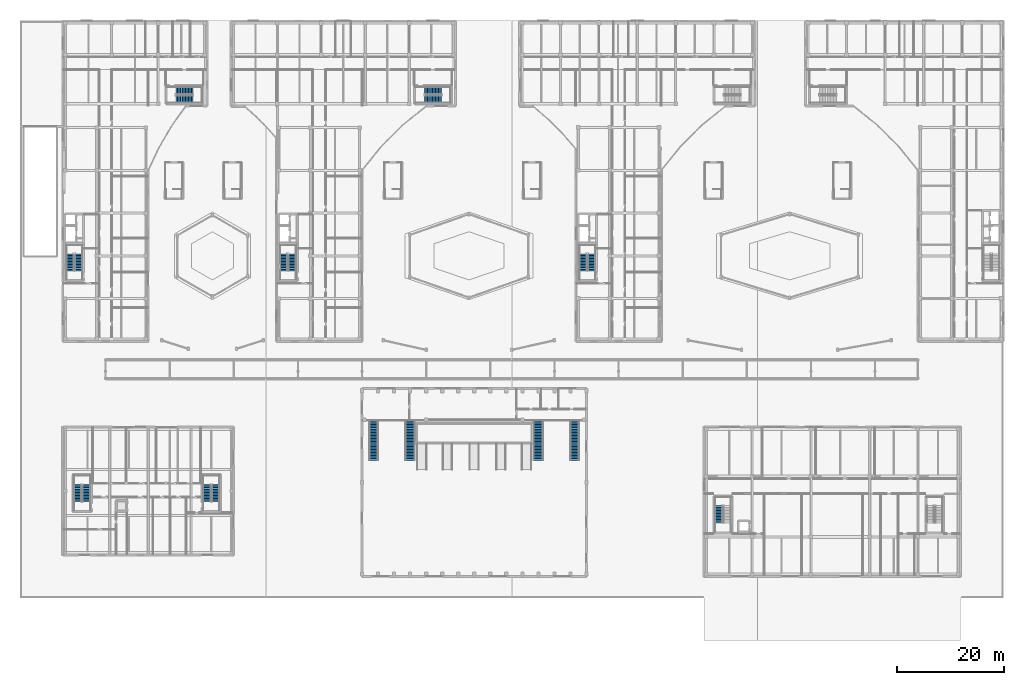
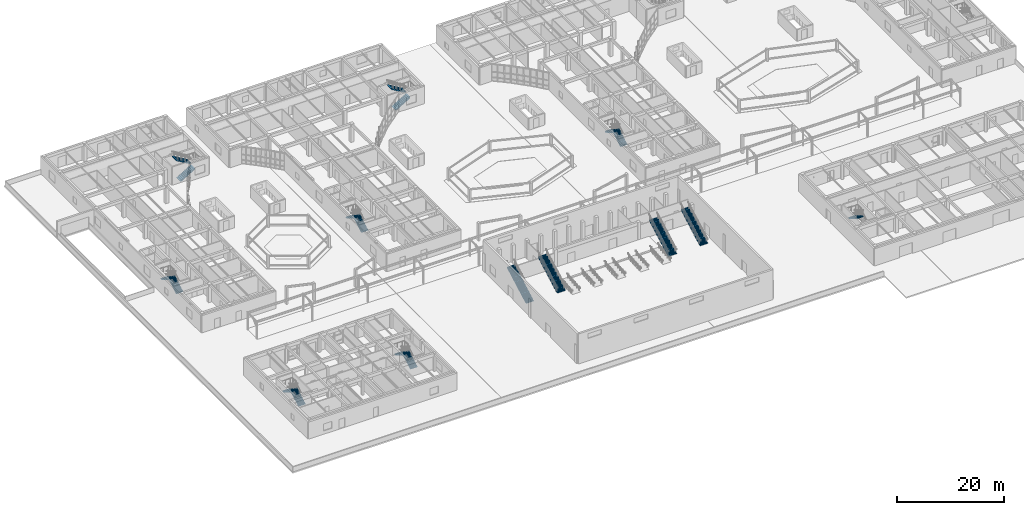
# One storey, part 92 of 114: 19 stair flights, 12 elements without a shape of their own.
"""IFC4 building model written with IfcOpenShell, lengths in metres."""

from ifc_helpers import new_model, si_unit, direction, frame, origin, place, context, subcontext, project, spatial, polyline, outline, extrude, material, type_object, element, aggregate, save


model = new_model("IFC4")

# Units and contexts
model_context = context("Model", 3, precision=1e-05, world=origin(), true_north=direction((0.0, 1.0)))
body_context = subcontext(model_context, "Body", "Model", "MODEL_VIEW")
ifc_project = project(units=[si_unit("LENGTHUNIT", "METRE"), si_unit("AREAUNIT", "SQUARE_METRE"), si_unit("VOLUMEUNIT", "CUBIC_METRE"), si_unit("PLANEANGLEUNIT", "RADIAN"), si_unit("MASSUNIT", "GRAM", prefix="KILO")], contexts=[model_context])

# Site, building, storey
site_placement = place(None, origin())
site = spatial("IfcSite", under=ifc_project, at=site_placement, CompositionType="ELEMENT")
building_placement = place(site_placement, origin())
building = spatial("IfcBuilding", under=site, at=building_placement, Name="Keldmere Railside Commons", CompositionType="ELEMENT")
storey_placement = place(building_placement, origin())
storey = spatial("IfcBuildingStorey", under=building, at=storey_placement, Name="L00", CompositionType="ELEMENT", Elevation=0.0)

# Stair, stair flights
ifc_material = material(Name="Concrete H-30 (C30/37)", Category="concrete")
stair_type_1 = type_object("IfcStairType", Name="Basement Garage Dogleg Escape Stair 1450", PredefinedType="HALF_TURN_STAIR", material=ifc_material)
stair_1_placement = place(storey_placement, origin())
stair_1 = element("IfcStair", 1, at=stair_1_placement, inside=storey, type_object=stair_type_1, Name="L00 Block B Primary Escape Stair 1", PredefinedType="HALF_TURN_STAIR")
stair_flight_type_1 = type_object("IfcStairFlightType", Name="Basement Escape Stair Flight 1450", PredefinedType="STRAIGHT", material=ifc_material)
stair_flight_1_placement = place(storey_placement, frame((106.97509765625, 69.199951171875, 0.0), z_axis=(0.0, 0.0, 1.0), x_axis=(0.0, 1.0, 0.0)))
stair_flight_1 = element("IfcStairFlight", 2, at=stair_flight_1_placement, type_object=stair_flight_type_1, Name="ST-B1 flight 1", NumberOfRisers=12, NumberOfTreads=11, PredefinedType="STRAIGHT", RiserHeight=0.173333333, TreadLength=0.29, context=body_context, shape_type="SweptSolid", body=[
    extrude(outline(polyline([(0.0, 0.0), (0.0, 0.17333984375), (0.2900390625, 0.17333984375), (0.2900390625, 0.3466796875), (0.580078125, 0.3466796875), (0.580078125, 0.52001953125), (0.8701171875, 0.52001953125), (0.8701171875, 0.693359375), (1.159912109375, 0.693359375), (1.159912109375, 0.86669921875), (1.449951171875, 0.86669921875), (1.449951171875, 1.0400390625), (1.739990234375, 1.0400390625), (1.739990234375, 1.21337890625), (2.030029296875, 1.21337890625), (2.030029296875, 1.38671875), (2.320068359375, 1.38671875), (2.320068359375, 1.56005859375), (2.610107421875, 1.56005859375), (2.610107421875, 1.7333984375), (2.89990234375, 1.7333984375), (2.89990234375, 1.90673828125), (3.18994140625, 1.90673828125), (3.18994140625, 2.080078125), (3.18994140625, 1.697021484375), (0.350830078125, 0.0), (0.0, 0.0)])), frame((0.0, 0.72509765625, 0.0), z_axis=(0.0, -1.0, 0.0), x_axis=(1.0, 0.0, 0.0)), (0.0, 0.0, 1.0), 1.449951171875),
])
stair_flight_2_placement = place(storey_placement, frame((105.375, 72.389892578125, 2.080078125), z_axis=(0.0, 0.0, 1.0), x_axis=(0.0, -1.0, 0.0)))
stair_flight_2 = element("IfcStairFlight", 3, at=stair_flight_2_placement, type_object=stair_flight_type_1, Name="ST-B1 flight 2", NumberOfRisers=12, NumberOfTreads=11, PredefinedType="STRAIGHT", RiserHeight=0.173333333, TreadLength=0.29, context=body_context, shape_type="SweptSolid", body=[
    extrude(outline(polyline([(0.0, 0.0), (0.0, 0.17333984375), (0.2900390625, 0.17333984375), (0.2900390625, 0.3466796875), (0.580078125, 0.3466796875), (0.580078125, 0.52001953125), (0.8701171875, 0.52001953125), (0.8701171875, 0.693359375), (1.159912109375, 0.693359375), (1.159912109375, 0.86669921875), (1.449951171875, 0.86669921875), (1.449951171875, 1.0400390625), (1.739990234375, 1.0400390625), (1.739990234375, 1.21337890625), (2.030029296875, 1.21337890625), (2.030029296875, 1.38671875), (2.320068359375, 1.38671875), (2.320068359375, 1.56005859375), (2.610107421875, 1.56005859375), (2.610107421875, 1.7333984375), (2.89990234375, 1.7333984375), (2.89990234375, 1.90673828125), (3.18994140625, 1.90673828125), (3.18994140625, 2.080078125), (3.18994140625, 1.697021484375), (0.350830078125, 0.0), (0.0, 0.0)])), frame((0.0, 0.72509765625, 0.0), z_axis=(0.0, -1.0, 0.0), x_axis=(1.0, 0.0, 0.0)), (0.0, 0.0, 1.0), 1.449951171875),
])
aggregate(stair_1, [stair_flight_1, stair_flight_2])

# Stair, stair flight
stair_type_2 = type_object("IfcStairType", Name="Community Hall Stage & Gallery Straight Stair 1650", PredefinedType="STRAIGHT_RUN_STAIR", material=ifc_material)
stair_2_placement = place(storey_placement, origin())
stair_2 = element("IfcStair", 4, at=stair_2_placement, inside=storey, type_object=stair_type_2, Name="ST-HAL ST-H1", PredefinedType="STRAIGHT_RUN_STAIR")
stair_flight_type_2 = type_object("IfcStairFlightType", Name="Community Hall Straight Flight 1650", PredefinedType="STRAIGHT", material=ifc_material)
stair_flight_3_placement = place(storey_placement, frame((66.199951171875, 33.75, 0.0), z_axis=(0.0, 0.0, 1.0), x_axis=(0.0, 1.0, 0.0)))
stair_flight_3 = element("IfcStairFlight", 5, at=stair_flight_3_placement, type_object=stair_flight_type_2, Name="FL-HAL ST-H1-F1", NumberOfRisers=26, NumberOfTreads=25, PredefinedType="STRAIGHT", RiserHeight=0.16, TreadLength=0.29, context=body_context, shape_type="SweptSolid", body=[
    extrude(outline(polyline([(0.0, 0.0), (0.0, 0.159912109375), (0.2900390625, 0.159912109375), (0.2900390625, 0.320068359375), (0.580078125, 0.320068359375), (0.580078125, 0.47998046875), (0.8701171875, 0.47998046875), (0.8701171875, 0.639892578125), (1.159912109375, 0.639892578125), (1.159912109375, 0.800048828125), (1.449951171875, 0.800048828125), (1.449951171875, 0.9599609375), (1.739990234375, 0.9599609375), (1.739990234375, 1.1201171875), (2.030029296875, 1.1201171875), (2.030029296875, 1.280029296875), (2.320068359375, 1.280029296875), (2.320068359375, 1.43994140625), (2.610107421875, 1.43994140625), (2.610107421875, 1.60009765625), (2.89990234375, 1.60009765625), (2.89990234375, 1.760009765625), (3.18994140625, 1.760009765625), (3.18994140625, 1.919921875), (3.47998046875, 1.919921875), (3.47998046875, 2.080078125), (3.77001953125, 2.080078125), (3.77001953125, 2.239990234375), (4.06005859375, 2.239990234375), (4.06005859375, 2.39990234375), (4.35009765625, 2.39990234375), (4.35009765625, 2.56005859375), (4.639892578125, 2.56005859375), (4.639892578125, 2.719970703125), (4.929931640625, 2.719970703125), (4.929931640625, 2.8798828125), (5.219970703125, 2.8798828125), (5.219970703125, 3.0400390625), (5.510009765625, 3.0400390625), (5.510009765625, 3.199951171875), (5.800048828125, 3.199951171875), (5.800048828125, 3.360107421875), (6.090087890625, 3.360107421875), (6.090087890625, 3.52001953125), (6.3798828125, 3.52001953125), (6.3798828125, 3.679931640625), (6.669921875, 3.679931640625), (6.669921875, 3.840087890625), (6.9599609375, 3.840087890625), (6.9599609375, 4.0), (7.25, 4.0), (7.25, 4.159912109375), (7.25, 3.79443359375), (0.37255859375, 0.0), (0.0, 0.0)])), frame((0.0, 0.824951171875, 0.0), z_axis=(0.0, -1.0, 0.0), x_axis=(1.0, 0.0, 0.0)), (0.0, 0.0, 1.0), 1.64990234375),
])
aggregate(stair_2, [stair_flight_3])

stair_3_placement = place(storey_placement, origin())
stair_3 = element("IfcStair", 6, at=stair_3_placement, inside=storey, type_object=stair_type_2, Name="ST-HAL ST-H2", PredefinedType="STRAIGHT_RUN_STAIR")
stair_flight_4_placement = place(storey_placement, frame((103.800048828125, 33.75, 0.0), z_axis=(0.0, 0.0, 1.0), x_axis=(0.0, 1.0, 0.0)))
stair_flight_4 = element("IfcStairFlight", 7, at=stair_flight_4_placement, type_object=stair_flight_type_2, Name="FL-HAL ST-H2-F1", NumberOfRisers=26, NumberOfTreads=25, PredefinedType="STRAIGHT", RiserHeight=0.16, TreadLength=0.29, context=body_context, shape_type="SweptSolid", body=[
    extrude(outline(polyline([(0.0, 0.0), (0.0, 0.159912109375), (0.2900390625, 0.159912109375), (0.2900390625, 0.320068359375), (0.580078125, 0.320068359375), (0.580078125, 0.47998046875), (0.8701171875, 0.47998046875), (0.8701171875, 0.639892578125), (1.159912109375, 0.639892578125), (1.159912109375, 0.800048828125), (1.449951171875, 0.800048828125), (1.449951171875, 0.9599609375), (1.739990234375, 0.9599609375), (1.739990234375, 1.1201171875), (2.030029296875, 1.1201171875), (2.030029296875, 1.280029296875), (2.320068359375, 1.280029296875), (2.320068359375, 1.43994140625), (2.610107421875, 1.43994140625), (2.610107421875, 1.60009765625), (2.89990234375, 1.60009765625), (2.89990234375, 1.760009765625), (3.18994140625, 1.760009765625), (3.18994140625, 1.919921875), (3.47998046875, 1.919921875), (3.47998046875, 2.080078125), (3.77001953125, 2.080078125), (3.77001953125, 2.239990234375), (4.06005859375, 2.239990234375), (4.06005859375, 2.39990234375), (4.35009765625, 2.39990234375), (4.35009765625, 2.56005859375), (4.639892578125, 2.56005859375), (4.639892578125, 2.719970703125), (4.929931640625, 2.719970703125), (4.929931640625, 2.8798828125), (5.219970703125, 2.8798828125), (5.219970703125, 3.0400390625), (5.510009765625, 3.0400390625), (5.510009765625, 3.199951171875), (5.800048828125, 3.199951171875), (5.800048828125, 3.360107421875), (6.090087890625, 3.360107421875), (6.090087890625, 3.52001953125), (6.3798828125, 3.52001953125), (6.3798828125, 3.679931640625), (6.669921875, 3.679931640625), (6.669921875, 3.840087890625), (6.9599609375, 3.840087890625), (6.9599609375, 4.0), (7.25, 4.0), (7.25, 4.159912109375), (7.25, 3.79443359375), (0.37255859375, 0.0), (0.0, 0.0)])), frame((0.0, 0.824951171875, 0.0), z_axis=(0.0, -1.0, 0.0), x_axis=(1.0, 0.0, 0.0)), (0.0, 0.0, 1.0), 1.64990234375),
])
aggregate(stair_3, [stair_flight_4])

stair_type_3 = type_object("IfcStairType", Name="Court Deck Exterior Straight Civic Stair 1800", PredefinedType="STRAIGHT_RUN_STAIR", material=ifc_material)
stair_4_placement = place(storey_placement, origin())
stair_4 = element("IfcStair", 8, at=stair_4_placement, inside=storey, type_object=stair_type_3, Name="ST-CRT ST-CRT1", PredefinedType="STRAIGHT_RUN_STAIR")
stair_flight_type_3 = type_object("IfcStairFlightType", Name="Court Deck Civic Straight Flight 1800", PredefinedType="STRAIGHT", material=ifc_material)
stair_flight_5_placement = place(storey_placement, frame((73.0, 33.75, 0.0), z_axis=(0.0, 0.0, 1.0), x_axis=(0.0, 1.0, 0.0)))
stair_flight_5 = element("IfcStairFlight", 9, at=stair_flight_5_placement, type_object=stair_flight_type_3, Name="FL-CRT ST-CRT1-F1", NumberOfRisers=26, NumberOfTreads=25, PredefinedType="STRAIGHT", RiserHeight=0.16, TreadLength=0.29, context=body_context, shape_type="SweptSolid", body=[
    extrude(outline(polyline([(0.0, 0.0), (0.0, 0.159912109375), (0.2900390625, 0.159912109375), (0.2900390625, 0.320068359375), (0.580078125, 0.320068359375), (0.580078125, 0.47998046875), (0.8701171875, 0.47998046875), (0.8701171875, 0.639892578125), (1.159912109375, 0.639892578125), (1.159912109375, 0.800048828125), (1.449951171875, 0.800048828125), (1.449951171875, 0.9599609375), (1.739990234375, 0.9599609375), (1.739990234375, 1.1201171875), (2.030029296875, 1.1201171875), (2.030029296875, 1.280029296875), (2.320068359375, 1.280029296875), (2.320068359375, 1.43994140625), (2.610107421875, 1.43994140625), (2.610107421875, 1.60009765625), (2.89990234375, 1.60009765625), (2.89990234375, 1.760009765625), (3.18994140625, 1.760009765625), (3.18994140625, 1.919921875), (3.47998046875, 1.919921875), (3.47998046875, 2.080078125), (3.77001953125, 2.080078125), (3.77001953125, 2.239990234375), (4.06005859375, 2.239990234375), (4.06005859375, 2.39990234375), (4.35009765625, 2.39990234375), (4.35009765625, 2.56005859375), (4.639892578125, 2.56005859375), (4.639892578125, 2.719970703125), (4.929931640625, 2.719970703125), (4.929931640625, 2.8798828125), (5.219970703125, 2.8798828125), (5.219970703125, 3.0400390625), (5.510009765625, 3.0400390625), (5.510009765625, 3.199951171875), (5.800048828125, 3.199951171875), (5.800048828125, 3.360107421875), (6.090087890625, 3.360107421875), (6.090087890625, 3.52001953125), (6.3798828125, 3.52001953125), (6.3798828125, 3.679931640625), (6.669921875, 3.679931640625), (6.669921875, 3.840087890625), (6.9599609375, 3.840087890625), (6.9599609375, 4.0), (7.25, 4.0), (7.25, 4.159912109375), (7.25, 3.79443359375), (0.37255859375, 0.0), (0.0, 0.0)])), frame((0.0, 0.89990234375, 0.0), z_axis=(0.0, -1.0, 0.0), x_axis=(1.0, 0.0, 0.0)), (0.0, 0.0, 1.0), 1.800048828125),
])
aggregate(stair_4, [stair_flight_5])

stair_5_placement = place(storey_placement, origin())
stair_5 = element("IfcStair", 10, at=stair_5_placement, inside=storey, type_object=stair_type_3, Name="ST-CRT ST-CRT2", PredefinedType="STRAIGHT_RUN_STAIR")
stair_flight_6_placement = place(storey_placement, frame((97.0, 33.75, 0.0), z_axis=(0.0, 0.0, 1.0), x_axis=(0.0, 1.0, 0.0)))
stair_flight_6 = element("IfcStairFlight", 11, at=stair_flight_6_placement, type_object=stair_flight_type_3, Name="FL-CRT ST-CRT2-F1", NumberOfRisers=26, NumberOfTreads=25, PredefinedType="STRAIGHT", RiserHeight=0.16, TreadLength=0.29, context=body_context, shape_type="SweptSolid", body=[
    extrude(outline(polyline([(0.0, 0.0), (0.0, 0.159912109375), (0.2900390625, 0.159912109375), (0.2900390625, 0.320068359375), (0.580078125, 0.320068359375), (0.580078125, 0.47998046875), (0.8701171875, 0.47998046875), (0.8701171875, 0.639892578125), (1.159912109375, 0.639892578125), (1.159912109375, 0.800048828125), (1.449951171875, 0.800048828125), (1.449951171875, 0.9599609375), (1.739990234375, 0.9599609375), (1.739990234375, 1.1201171875), (2.030029296875, 1.1201171875), (2.030029296875, 1.280029296875), (2.320068359375, 1.280029296875), (2.320068359375, 1.43994140625), (2.610107421875, 1.43994140625), (2.610107421875, 1.60009765625), (2.89990234375, 1.60009765625), (2.89990234375, 1.760009765625), (3.18994140625, 1.760009765625), (3.18994140625, 1.919921875), (3.47998046875, 1.919921875), (3.47998046875, 2.080078125), (3.77001953125, 2.080078125), (3.77001953125, 2.239990234375), (4.06005859375, 2.239990234375), (4.06005859375, 2.39990234375), (4.35009765625, 2.39990234375), (4.35009765625, 2.56005859375), (4.639892578125, 2.56005859375), (4.639892578125, 2.719970703125), (4.929931640625, 2.719970703125), (4.929931640625, 2.8798828125), (5.219970703125, 2.8798828125), (5.219970703125, 3.0400390625), (5.510009765625, 3.0400390625), (5.510009765625, 3.199951171875), (5.800048828125, 3.199951171875), (5.800048828125, 3.360107421875), (6.090087890625, 3.360107421875), (6.090087890625, 3.52001953125), (6.3798828125, 3.52001953125), (6.3798828125, 3.679931640625), (6.669921875, 3.679931640625), (6.669921875, 3.840087890625), (6.9599609375, 3.840087890625), (6.9599609375, 4.0), (7.25, 4.0), (7.25, 4.159912109375), (7.25, 3.79443359375), (0.37255859375, 0.0), (0.0, 0.0)])), frame((0.0, 0.89990234375, 0.0), z_axis=(0.0, -1.0, 0.0), x_axis=(1.0, 0.0, 0.0)), (0.0, 0.0, 1.0), 1.800048828125),
])
aggregate(stair_5, [stair_flight_6])

# Stair, stair flights
stair_type_4 = type_object("IfcStairType", Name="Ground Podium Dogleg Stair 1450", PredefinedType="HALF_TURN_STAIR", material=ifc_material)
stair_6_placement = place(storey_placement, origin())
stair_6 = element("IfcStair", 12, at=stair_6_placement, inside=storey, type_object=stair_type_4, Name="L00 Block D Primary Escape Stair 1", PredefinedType="HALF_TURN_STAIR")
stair_flight_type_4 = type_object("IfcStairFlightType", Name="Ground Podium Stair Flight 1450", PredefinedType="STRAIGHT", material=ifc_material)
stair_flight_7_placement = place(storey_placement, frame((10.97509765625, 69.199951171875, 0.0), z_axis=(0.0, 0.0, 1.0), x_axis=(0.0, 1.0, 0.0)))
stair_flight_7 = element("IfcStairFlight", 13, at=stair_flight_7_placement, type_object=stair_flight_type_4, Name="ST-D1 flight 1", NumberOfRisers=12, NumberOfTreads=11, PredefinedType="STRAIGHT", RiserHeight=0.173333333, TreadLength=0.29, context=body_context, shape_type="SweptSolid", body=[
    extrude(outline(polyline([(0.0, 0.0), (0.0, 0.17333984375), (0.2900390625, 0.17333984375), (0.2900390625, 0.3466796875), (0.580078125, 0.3466796875), (0.580078125, 0.52001953125), (0.8701171875, 0.52001953125), (0.8701171875, 0.693359375), (1.159912109375, 0.693359375), (1.159912109375, 0.86669921875), (1.449951171875, 0.86669921875), (1.449951171875, 1.0400390625), (1.739990234375, 1.0400390625), (1.739990234375, 1.21337890625), (2.030029296875, 1.21337890625), (2.030029296875, 1.38671875), (2.320068359375, 1.38671875), (2.320068359375, 1.56005859375), (2.610107421875, 1.56005859375), (2.610107421875, 1.7333984375), (2.89990234375, 1.7333984375), (2.89990234375, 1.90673828125), (3.18994140625, 1.90673828125), (3.18994140625, 2.080078125), (3.18994140625, 1.697021484375), (0.350830078125, 0.0), (0.0, 0.0)])), frame((0.0, 0.72509765625, 0.0), z_axis=(0.0, -1.0, 0.0), x_axis=(1.0, 0.0, 0.0)), (0.0, 0.0, 1.0), 1.449951171875),
])
stair_flight_8_placement = place(storey_placement, frame((9.375, 72.389892578125, 2.080078125), z_axis=(0.0, 0.0, 1.0), x_axis=(0.0, -1.0, 0.0)))
stair_flight_8 = element("IfcStairFlight", 14, at=stair_flight_8_placement, type_object=stair_flight_type_4, Name="ST-D1 flight 2", NumberOfRisers=12, NumberOfTreads=11, PredefinedType="STRAIGHT", RiserHeight=0.173333333, TreadLength=0.29, context=body_context, shape_type="SweptSolid", body=[
    extrude(outline(polyline([(0.0, 0.0), (0.0, 0.17333984375), (0.2900390625, 0.17333984375), (0.2900390625, 0.3466796875), (0.580078125, 0.3466796875), (0.580078125, 0.52001953125), (0.8701171875, 0.52001953125), (0.8701171875, 0.693359375), (1.159912109375, 0.693359375), (1.159912109375, 0.86669921875), (1.449951171875, 0.86669921875), (1.449951171875, 1.0400390625), (1.739990234375, 1.0400390625), (1.739990234375, 1.21337890625), (2.030029296875, 1.21337890625), (2.030029296875, 1.38671875), (2.320068359375, 1.38671875), (2.320068359375, 1.56005859375), (2.610107421875, 1.56005859375), (2.610107421875, 1.7333984375), (2.89990234375, 1.7333984375), (2.89990234375, 1.90673828125), (3.18994140625, 1.90673828125), (3.18994140625, 2.080078125), (3.18994140625, 1.697021484375), (0.350830078125, 0.0), (0.0, 0.0)])), frame((0.0, 0.72509765625, 0.0), z_axis=(0.0, -1.0, 0.0), x_axis=(1.0, 0.0, 0.0)), (0.0, 0.0, 1.0), 1.449951171875),
])
aggregate(stair_6, [stair_flight_7, stair_flight_8])

stair_7_placement = place(storey_placement, origin())
stair_7 = element("IfcStair", 15, at=stair_7_placement, inside=storey, type_object=stair_type_4, Name="L00 Block D Secondary Escape Stair 2", PredefinedType="HALF_TURN_STAIR")
stair_flight_9_placement = place(storey_placement, frame((29.199951171875, 101.324951171875, 0.0), z_axis=(0.0, 0.0, 1.0), x_axis=(1.0, 0.0, 0.0)))
stair_flight_9 = element("IfcStairFlight", 16, at=stair_flight_9_placement, type_object=stair_flight_type_4, Name="ST-D2 flight 1", NumberOfRisers=12, NumberOfTreads=11, PredefinedType="STRAIGHT", RiserHeight=0.173333333, TreadLength=0.29, context=body_context, shape_type="SweptSolid", body=[
    extrude(outline(polyline([(0.0, 0.0), (0.0, 0.17333984375), (0.2900390625, 0.17333984375), (0.2900390625, 0.3466796875), (0.580078125, 0.3466796875), (0.580078125, 0.52001953125), (0.8701171875, 0.52001953125), (0.8701171875, 0.693359375), (1.159912109375, 0.693359375), (1.159912109375, 0.86669921875), (1.449951171875, 0.86669921875), (1.449951171875, 1.0400390625), (1.739990234375, 1.0400390625), (1.739990234375, 1.21337890625), (2.030029296875, 1.21337890625), (2.030029296875, 1.38671875), (2.320068359375, 1.38671875), (2.320068359375, 1.56005859375), (2.610107421875, 1.56005859375), (2.610107421875, 1.7333984375), (2.89990234375, 1.7333984375), (2.89990234375, 1.90673828125), (3.18994140625, 1.90673828125), (3.18994140625, 2.080078125), (3.18994140625, 1.697021484375), (0.350830078125, 0.0), (0.0, 0.0)])), frame((0.0, 0.72509765625, 0.0), z_axis=(0.0, -1.0, 0.0), x_axis=(1.0, 0.0, 0.0)), (0.0, 0.0, 1.0), 1.449951171875),
])
stair_flight_10_placement = place(storey_placement, frame((32.389892578125, 102.925048828125, 2.080078125), z_axis=(0.0, 0.0, 1.0), x_axis=(-1.0, 0.0, 0.0)))
stair_flight_10 = element("IfcStairFlight", 17, at=stair_flight_10_placement, type_object=stair_flight_type_4, Name="ST-D2 flight 2", NumberOfRisers=12, NumberOfTreads=11, PredefinedType="STRAIGHT", RiserHeight=0.173333333, TreadLength=0.29, context=body_context, shape_type="SweptSolid", body=[
    extrude(outline(polyline([(0.0, 0.0), (0.0, 0.17333984375), (0.2900390625, 0.17333984375), (0.2900390625, 0.3466796875), (0.580078125, 0.3466796875), (0.580078125, 0.52001953125), (0.8701171875, 0.52001953125), (0.8701171875, 0.693359375), (1.159912109375, 0.693359375), (1.159912109375, 0.86669921875), (1.449951171875, 0.86669921875), (1.449951171875, 1.0400390625), (1.739990234375, 1.0400390625), (1.739990234375, 1.21337890625), (2.030029296875, 1.21337890625), (2.030029296875, 1.38671875), (2.320068359375, 1.38671875), (2.320068359375, 1.56005859375), (2.610107421875, 1.56005859375), (2.610107421875, 1.7333984375), (2.89990234375, 1.7333984375), (2.89990234375, 1.90673828125), (3.18994140625, 1.90673828125), (3.18994140625, 2.080078125), (3.18994140625, 1.697021484375), (0.350830078125, 0.0), (0.0, 0.0)])), frame((0.0, 0.72509765625, 0.0), z_axis=(0.0, -1.0, 0.0), x_axis=(1.0, 0.0, 0.0)), (0.0, 0.0, 1.0), 1.449951171875),
])
aggregate(stair_7, [stair_flight_9, stair_flight_10])

stair_8_placement = place(storey_placement, origin())
stair_8 = element("IfcStair", 18, at=stair_8_placement, inside=storey, type_object=stair_type_4, Name="L00 Block C Primary Escape Stair 1", PredefinedType="HALF_TURN_STAIR")
stair_flight_11_placement = place(storey_placement, frame((50.97509765625, 69.199951171875, 0.0), z_axis=(0.0, 0.0, 1.0), x_axis=(0.0, 1.0, 0.0)))
stair_flight_11 = element("IfcStairFlight", 19, at=stair_flight_11_placement, type_object=stair_flight_type_4, Name="ST-C1 flight 1", NumberOfRisers=12, NumberOfTreads=11, PredefinedType="STRAIGHT", RiserHeight=0.173333333, TreadLength=0.29, context=body_context, shape_type="SweptSolid", body=[
    extrude(outline(polyline([(0.0, 0.0), (0.0, 0.17333984375), (0.2900390625, 0.17333984375), (0.2900390625, 0.3466796875), (0.580078125, 0.3466796875), (0.580078125, 0.52001953125), (0.8701171875, 0.52001953125), (0.8701171875, 0.693359375), (1.159912109375, 0.693359375), (1.159912109375, 0.86669921875), (1.449951171875, 0.86669921875), (1.449951171875, 1.0400390625), (1.739990234375, 1.0400390625), (1.739990234375, 1.21337890625), (2.030029296875, 1.21337890625), (2.030029296875, 1.38671875), (2.320068359375, 1.38671875), (2.320068359375, 1.56005859375), (2.610107421875, 1.56005859375), (2.610107421875, 1.7333984375), (2.89990234375, 1.7333984375), (2.89990234375, 1.90673828125), (3.18994140625, 1.90673828125), (3.18994140625, 2.080078125), (3.18994140625, 1.697021484375), (0.350830078125, 0.0), (0.0, 0.0)])), frame((0.0, 0.72509765625, 0.0), z_axis=(0.0, -1.0, 0.0), x_axis=(1.0, 0.0, 0.0)), (0.0, 0.0, 1.0), 1.449951171875),
])
stair_flight_12_placement = place(storey_placement, frame((49.375, 72.389892578125, 2.080078125), z_axis=(0.0, 0.0, 1.0), x_axis=(0.0, -1.0, 0.0)))
stair_flight_12 = element("IfcStairFlight", 20, at=stair_flight_12_placement, type_object=stair_flight_type_4, Name="ST-C1 flight 2", NumberOfRisers=12, NumberOfTreads=11, PredefinedType="STRAIGHT", RiserHeight=0.173333333, TreadLength=0.29, context=body_context, shape_type="SweptSolid", body=[
    extrude(outline(polyline([(0.0, 0.0), (0.0, 0.17333984375), (0.2900390625, 0.17333984375), (0.2900390625, 0.3466796875), (0.580078125, 0.3466796875), (0.580078125, 0.52001953125), (0.8701171875, 0.52001953125), (0.8701171875, 0.693359375), (1.159912109375, 0.693359375), (1.159912109375, 0.86669921875), (1.449951171875, 0.86669921875), (1.449951171875, 1.0400390625), (1.739990234375, 1.0400390625), (1.739990234375, 1.21337890625), (2.030029296875, 1.21337890625), (2.030029296875, 1.38671875), (2.320068359375, 1.38671875), (2.320068359375, 1.56005859375), (2.610107421875, 1.56005859375), (2.610107421875, 1.7333984375), (2.89990234375, 1.7333984375), (2.89990234375, 1.90673828125), (3.18994140625, 1.90673828125), (3.18994140625, 2.080078125), (3.18994140625, 1.697021484375), (0.350830078125, 0.0), (0.0, 0.0)])), frame((0.0, 0.72509765625, 0.0), z_axis=(0.0, -1.0, 0.0), x_axis=(1.0, 0.0, 0.0)), (0.0, 0.0, 1.0), 1.449951171875),
])
aggregate(stair_8, [stair_flight_11, stair_flight_12])

stair_9_placement = place(storey_placement, origin())
stair_9 = element("IfcStair", 21, at=stair_9_placement, inside=storey, type_object=stair_type_4, Name="L00 Block C Secondary Escape Stair 2", PredefinedType="HALF_TURN_STAIR")
stair_flight_13_placement = place(storey_placement, frame((75.699951171875, 101.324951171875, 0.0), z_axis=(0.0, 0.0, 1.0), x_axis=(1.0, 0.0, 0.0)))
stair_flight_13 = element("IfcStairFlight", 22, at=stair_flight_13_placement, type_object=stair_flight_type_4, Name="ST-C2 flight 1", NumberOfRisers=12, NumberOfTreads=11, PredefinedType="STRAIGHT", RiserHeight=0.173333333, TreadLength=0.29, context=body_context, shape_type="SweptSolid", body=[
    extrude(outline(polyline([(0.0, 0.0), (0.0, 0.17333984375), (0.2900390625, 0.17333984375), (0.2900390625, 0.3466796875), (0.580078125, 0.3466796875), (0.580078125, 0.52001953125), (0.8701171875, 0.52001953125), (0.8701171875, 0.693359375), (1.159912109375, 0.693359375), (1.159912109375, 0.86669921875), (1.449951171875, 0.86669921875), (1.449951171875, 1.0400390625), (1.739990234375, 1.0400390625), (1.739990234375, 1.21337890625), (2.030029296875, 1.21337890625), (2.030029296875, 1.38671875), (2.320068359375, 1.38671875), (2.320068359375, 1.56005859375), (2.610107421875, 1.56005859375), (2.610107421875, 1.7333984375), (2.89990234375, 1.7333984375), (2.89990234375, 1.90673828125), (3.18994140625, 1.90673828125), (3.18994140625, 2.080078125), (3.18994140625, 1.697021484375), (0.350830078125, 0.0), (0.0, 0.0)])), frame((0.0, 0.72509765625, 0.0), z_axis=(0.0, -1.0, 0.0), x_axis=(1.0, 0.0, 0.0)), (0.0, 0.0, 1.0), 1.449951171875),
])
stair_flight_14_placement = place(storey_placement, frame((78.889892578125, 102.925048828125, 2.080078125), z_axis=(0.0, 0.0, 1.0), x_axis=(-1.0, 0.0, 0.0)))
stair_flight_14 = element("IfcStairFlight", 23, at=stair_flight_14_placement, type_object=stair_flight_type_4, Name="ST-C2 flight 2", NumberOfRisers=12, NumberOfTreads=11, PredefinedType="STRAIGHT", RiserHeight=0.173333333, TreadLength=0.29, context=body_context, shape_type="SweptSolid", body=[
    extrude(outline(polyline([(0.0, 0.0), (0.0, 0.17333984375), (0.2900390625, 0.17333984375), (0.2900390625, 0.3466796875), (0.580078125, 0.3466796875), (0.580078125, 0.52001953125), (0.8701171875, 0.52001953125), (0.8701171875, 0.693359375), (1.159912109375, 0.693359375), (1.159912109375, 0.86669921875), (1.449951171875, 0.86669921875), (1.449951171875, 1.0400390625), (1.739990234375, 1.0400390625), (1.739990234375, 1.21337890625), (2.030029296875, 1.21337890625), (2.030029296875, 1.38671875), (2.320068359375, 1.38671875), (2.320068359375, 1.56005859375), (2.610107421875, 1.56005859375), (2.610107421875, 1.7333984375), (2.89990234375, 1.7333984375), (2.89990234375, 1.90673828125), (3.18994140625, 1.90673828125), (3.18994140625, 2.080078125), (3.18994140625, 1.697021484375), (0.350830078125, 0.0), (0.0, 0.0)])), frame((0.0, 0.72509765625, 0.0), z_axis=(0.0, -1.0, 0.0), x_axis=(1.0, 0.0, 0.0)), (0.0, 0.0, 1.0), 1.449951171875),
])
aggregate(stair_9, [stair_flight_13, stair_flight_14])

# Stair, stair flight
stair_type_5 = type_object("IfcStairType", Name="Market Arcade Ground Dogleg Stair 1420", PredefinedType="HALF_TURN_STAIR", material=ifc_material)
stair_10_placement = place(storey_placement, origin())
stair_10 = element("IfcStair", 24, at=stair_10_placement, inside=storey, type_object=stair_type_5, Name="L00 Market Arcade Escape Stair ST-M1", PredefinedType="HALF_TURN_STAIR")
stair_flight_type_5 = type_object("IfcStairFlightType", Name="Market Arcade Ground Stair Flight 1420", PredefinedType="STRAIGHT", material=ifc_material)
stair_flight_15_placement = place(storey_placement, frame((130.77001953125, 25.239990234375, 2.080078125), z_axis=(0.0, 0.0, 1.0), x_axis=(0.0, -1.0, 0.0)))
stair_flight_15 = element("IfcStairFlight", 25, at=stair_flight_15_placement, type_object=stair_flight_type_5, Name="ST-M1 flight 2", NumberOfRisers=12, NumberOfTreads=11, PredefinedType="STRAIGHT", RiserHeight=0.173333333, TreadLength=0.29, context=body_context, shape_type="SweptSolid", body=[
    extrude(outline(polyline([(0.0, 0.0), (0.0, 0.17333984375), (0.2900390625, 0.17333984375), (0.2900390625, 0.3466796875), (0.580078125, 0.3466796875), (0.580078125, 0.52001953125), (0.8701171875, 0.52001953125), (0.8701171875, 0.693359375), (1.159912109375, 0.693359375), (1.159912109375, 0.86669921875), (1.449951171875, 0.86669921875), (1.449951171875, 1.0400390625), (1.739990234375, 1.0400390625), (1.739990234375, 1.21337890625), (2.030029296875, 1.21337890625), (2.030029296875, 1.38671875), (2.320068359375, 1.38671875), (2.320068359375, 1.56005859375), (2.610107421875, 1.56005859375), (2.610107421875, 1.7333984375), (2.89990234375, 1.7333984375), (2.89990234375, 1.90673828125), (3.18994140625, 1.90673828125), (3.18994140625, 2.080078125), (3.18994140625, 1.697021484375), (0.350830078125, 0.0), (0.0, 0.0)])), frame((0.0, 0.7099609375, 0.0), z_axis=(0.0, -1.0, 0.0), x_axis=(1.0, 0.0, 0.0)), (0.0, 0.0, 1.0), 1.419921875),
])
aggregate(stair_10, [stair_flight_15])

# Stair, stair flights
stair_type_6 = type_object("IfcStairType", Name="Nursery Pavilion Dogleg Stair 1500", PredefinedType="HALF_TURN_STAIR", material=ifc_material)
stair_11_placement = place(storey_placement, origin())
stair_11 = element("IfcStair", 26, at=stair_11_placement, inside=storey, type_object=stair_type_6, Name="L00 Nursery Pavilion Escape Stair ST-N1", PredefinedType="HALF_TURN_STAIR")
stair_flight_type_6 = type_object("IfcStairFlightType", Name="Nursery Stair Flight 1500", PredefinedType="STRAIGHT", material=ifc_material)
stair_flight_16_placement = place(storey_placement, frame((12.449951171875, 26.0, 0.0), z_axis=(0.0, 0.0, 1.0), x_axis=(0.0, 1.0, 0.0)))
stair_flight_16 = element("IfcStairFlight", 27, at=stair_flight_16_placement, type_object=stair_flight_type_6, Name="ST-N1 flight 1", NumberOfRisers=12, NumberOfTreads=11, PredefinedType="STRAIGHT", RiserHeight=0.173333333, TreadLength=0.29, context=body_context, shape_type="SweptSolid", body=[
    extrude(outline(polyline([(0.0, 0.0), (0.0, 0.17333984375), (0.2900390625, 0.17333984375), (0.2900390625, 0.3466796875), (0.580078125, 0.3466796875), (0.580078125, 0.52001953125), (0.8701171875, 0.52001953125), (0.8701171875, 0.693359375), (1.159912109375, 0.693359375), (1.159912109375, 0.86669921875), (1.449951171875, 0.86669921875), (1.449951171875, 1.0400390625), (1.739990234375, 1.0400390625), (1.739990234375, 1.21337890625), (2.030029296875, 1.21337890625), (2.030029296875, 1.38671875), (2.320068359375, 1.38671875), (2.320068359375, 1.56005859375), (2.610107421875, 1.56005859375), (2.610107421875, 1.7333984375), (2.89990234375, 1.7333984375), (2.89990234375, 1.90673828125), (3.18994140625, 1.90673828125), (3.18994140625, 2.080078125), (3.18994140625, 1.697021484375), (0.350830078125, 0.0), (0.0, 0.0)])), frame((0.0, 0.75, 0.0), z_axis=(0.0, -1.0, 0.0), x_axis=(1.0, 0.0, 0.0)), (0.0, 0.0, 1.0), 1.5),
])
stair_flight_17_placement = place(storey_placement, frame((10.800048828125, 29.18994140625, 2.080078125), z_axis=(0.0, 0.0, 1.0), x_axis=(0.0, -1.0, 0.0)))
stair_flight_17 = element("IfcStairFlight", 28, at=stair_flight_17_placement, type_object=stair_flight_type_6, Name="ST-N1 flight 2", NumberOfRisers=12, NumberOfTreads=11, PredefinedType="STRAIGHT", RiserHeight=0.173333333, TreadLength=0.29, context=body_context, shape_type="SweptSolid", body=[
    extrude(outline(polyline([(0.0, 0.0), (0.0, 0.17333984375), (0.2900390625, 0.17333984375), (0.2900390625, 0.3466796875), (0.580078125, 0.3466796875), (0.580078125, 0.52001953125), (0.8701171875, 0.52001953125), (0.8701171875, 0.693359375), (1.159912109375, 0.693359375), (1.159912109375, 0.86669921875), (1.449951171875, 0.86669921875), (1.449951171875, 1.0400390625), (1.739990234375, 1.0400390625), (1.739990234375, 1.21337890625), (2.030029296875, 1.21337890625), (2.030029296875, 1.38671875), (2.320068359375, 1.38671875), (2.320068359375, 1.56005859375), (2.610107421875, 1.56005859375), (2.610107421875, 1.7333984375), (2.89990234375, 1.7333984375), (2.89990234375, 1.90673828125), (3.18994140625, 1.90673828125), (3.18994140625, 2.080078125), (3.18994140625, 1.697021484375), (0.350830078125, 0.0), (0.0, 0.0)])), frame((0.0, 0.75, 0.0), z_axis=(0.0, -1.0, 0.0), x_axis=(1.0, 0.0, 0.0)), (0.0, 0.0, 1.0), 1.5),
])
aggregate(stair_11, [stair_flight_16, stair_flight_17])

stair_12_placement = place(storey_placement, origin())
stair_12 = element("IfcStair", 29, at=stair_12_placement, inside=storey, type_object=stair_type_6, Name="L00 Nursery Pavilion Escape Stair ST-N2", PredefinedType="HALF_TURN_STAIR")
stair_flight_18_placement = place(storey_placement, frame((36.64990234375, 26.0, 0.0), z_axis=(0.0, 0.0, 1.0), x_axis=(0.0, 1.0, 0.0)))
stair_flight_18 = element("IfcStairFlight", 30, at=stair_flight_18_placement, type_object=stair_flight_type_6, Name="ST-N2 flight 1", NumberOfRisers=12, NumberOfTreads=11, PredefinedType="STRAIGHT", RiserHeight=0.173333333, TreadLength=0.29, context=body_context, shape_type="SweptSolid", body=[
    extrude(outline(polyline([(0.0, 0.0), (0.0, 0.17333984375), (0.2900390625, 0.17333984375), (0.2900390625, 0.3466796875), (0.580078125, 0.3466796875), (0.580078125, 0.52001953125), (0.8701171875, 0.52001953125), (0.8701171875, 0.693359375), (1.159912109375, 0.693359375), (1.159912109375, 0.86669921875), (1.449951171875, 0.86669921875), (1.449951171875, 1.0400390625), (1.739990234375, 1.0400390625), (1.739990234375, 1.21337890625), (2.030029296875, 1.21337890625), (2.030029296875, 1.38671875), (2.320068359375, 1.38671875), (2.320068359375, 1.56005859375), (2.610107421875, 1.56005859375), (2.610107421875, 1.7333984375), (2.89990234375, 1.7333984375), (2.89990234375, 1.90673828125), (3.18994140625, 1.90673828125), (3.18994140625, 2.080078125), (3.18994140625, 1.697021484375), (0.350830078125, 0.0), (0.0, 0.0)])), frame((0.0, 0.75, 0.0), z_axis=(0.0, -1.0, 0.0), x_axis=(1.0, 0.0, 0.0)), (0.0, 0.0, 1.0), 1.5),
])
stair_flight_19_placement = place(storey_placement, frame((35.0, 29.18994140625, 2.080078125), z_axis=(0.0, 0.0, 1.0), x_axis=(0.0, -1.0, 0.0)))
stair_flight_19 = element("IfcStairFlight", 31, at=stair_flight_19_placement, type_object=stair_flight_type_6, Name="ST-N2 flight 2", NumberOfRisers=12, NumberOfTreads=11, PredefinedType="STRAIGHT", RiserHeight=0.173333333, TreadLength=0.29, context=body_context, shape_type="SweptSolid", body=[
    extrude(outline(polyline([(0.0, 0.0), (0.0, 0.17333984375), (0.2900390625, 0.17333984375), (0.2900390625, 0.3466796875), (0.580078125, 0.3466796875), (0.580078125, 0.52001953125), (0.8701171875, 0.52001953125), (0.8701171875, 0.693359375), (1.159912109375, 0.693359375), (1.159912109375, 0.86669921875), (1.449951171875, 0.86669921875), (1.449951171875, 1.0400390625), (1.739990234375, 1.0400390625), (1.739990234375, 1.21337890625), (2.030029296875, 1.21337890625), (2.030029296875, 1.38671875), (2.320068359375, 1.38671875), (2.320068359375, 1.56005859375), (2.610107421875, 1.56005859375), (2.610107421875, 1.7333984375), (2.89990234375, 1.7333984375), (2.89990234375, 1.90673828125), (3.18994140625, 1.90673828125), (3.18994140625, 2.080078125), (3.18994140625, 1.697021484375), (0.350830078125, 0.0), (0.0, 0.0)])), frame((0.0, 0.75, 0.0), z_axis=(0.0, -1.0, 0.0), x_axis=(1.0, 0.0, 0.0)), (0.0, 0.0, 1.0), 1.5),
])
aggregate(stair_12, [stair_flight_18, stair_flight_19])

save(model, "model.ifc")
